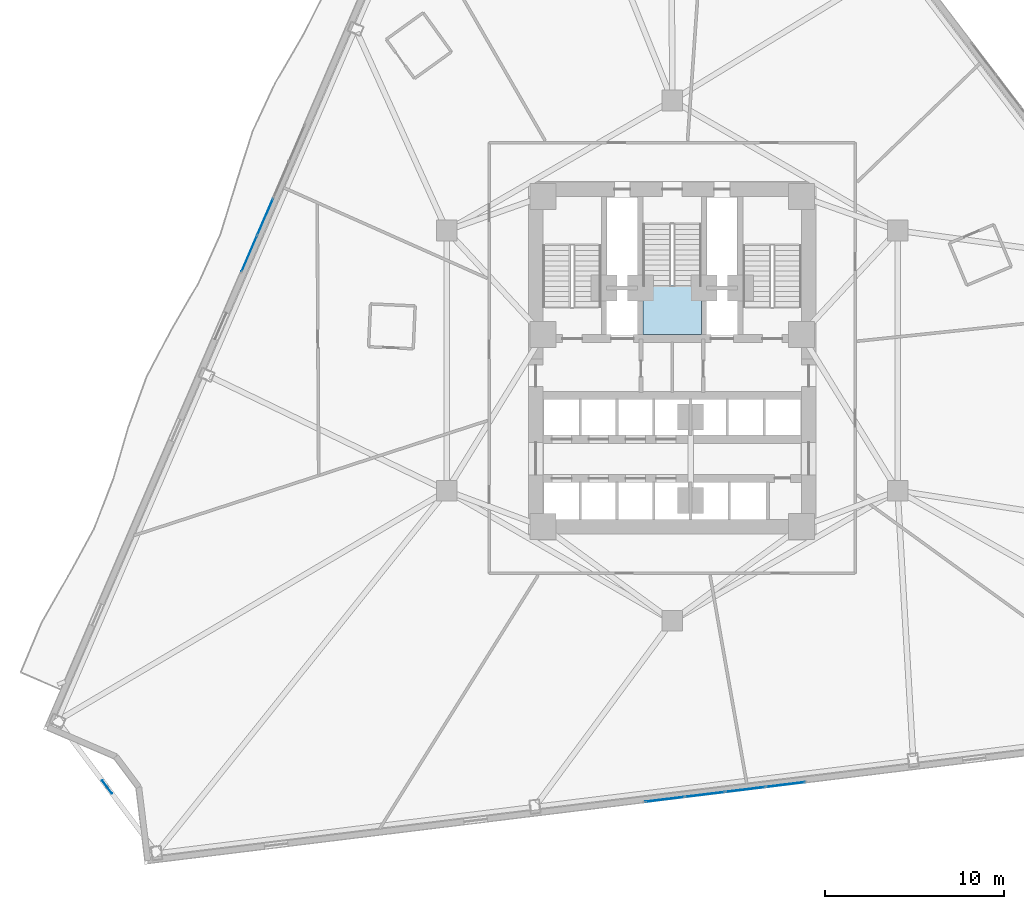
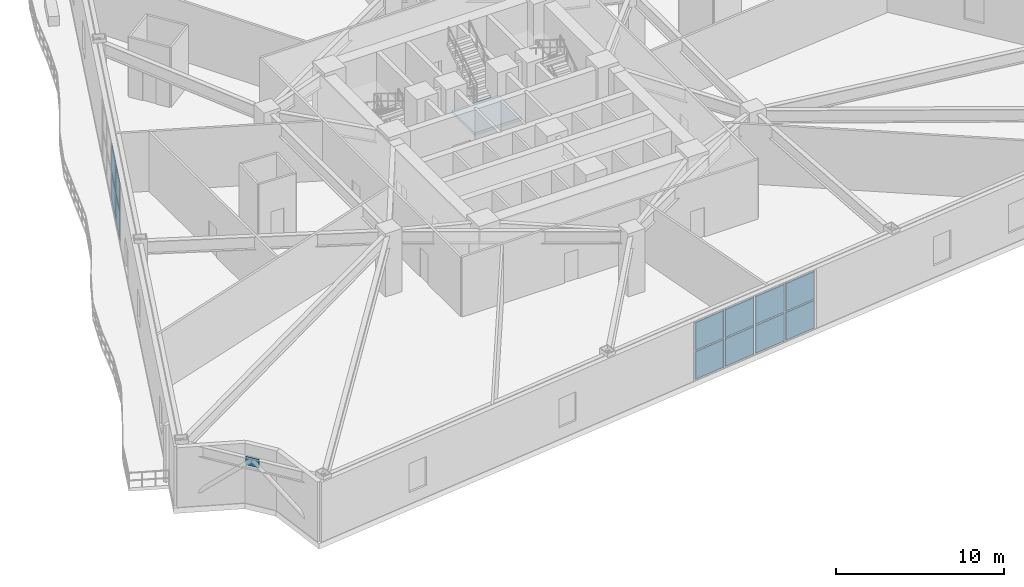
# One storey, part 8 of 21: 13 plates, 1 slab, 3 elements without a shape of their own.
"""IFC4 building model written with IfcOpenShell, lengths in metres."""

from ifc_helpers import new_model, si_unit, direction, frame, origin, origin_2d, place, context, subcontext, project, spatial, polyline, rectangle, outline, extrude, material, layer, layer_set, type_object, element, aggregate, save


model = new_model("IFC4")

# Units and contexts
model_context = context("Model", 3, precision=1e-05, world=origin(), true_north=direction((0.0, 1.0)))
body_context = subcontext(model_context, "Body", "Model", "MODEL_VIEW")
ifc_project = project(units=[si_unit("LENGTHUNIT", "METRE"), si_unit("AREAUNIT", "SQUARE_METRE"), si_unit("VOLUMEUNIT", "CUBIC_METRE"), si_unit("PLANEANGLEUNIT", "RADIAN"), si_unit("MASSUNIT", "GRAM", prefix="KILO")], contexts=[model_context])

# Site, building, storey
site_placement = place(None, origin())
site = spatial("IfcSite", under=ifc_project, at=site_placement, CompositionType="ELEMENT")
building_placement = place(site_placement, origin())
building = spatial("IfcBuilding", under=site, at=building_placement, Name="Apsidion Concourse Tower", CompositionType="ELEMENT")
storey_placement = place(building_placement, frame((0.0, 0.0, 62.39990234375)))
storey = spatial("IfcBuildingStorey", under=building, at=storey_placement, Name="L13", CompositionType="ELEMENT", Elevation=62.39990234375)

# Curtain wall, plates
ifc_material_1 = material(Name="Insulated laminated low-E glass", Category="glass")
ifc_layer_1 = layer(ifc_material_1, 0.2099609375)
ifc_layer_set_1 = layer_set([ifc_layer_1], Name="Insulated laminated low-E glass")
curtain_wall_type = type_object("IfcCurtainWallType", Name="CW-SYS-03", PredefinedType="NOTDEFINED", material=ifc_layer_set_1)
curtain_wall_1_placement = place(storey_placement, origin())
curtain_wall_1 = element("IfcCurtainWall", 1, at=curtain_wall_1_placement, inside=storey, type_object=curtain_wall_type, Name="L13 Sky Lobby Curtain Wall 5", PredefinedType="NOTDEFINED")
ifc_layer_2 = layer(ifc_material_1, 0.031982421875)
ifc_layer_set_2 = layer_set([ifc_layer_2], Name="Insulated laminated low-E glass")
plate_type_1 = type_object("IfcPlateType", Name="CWP-GLZ-32", PredefinedType="CURTAIN_PANEL", material=ifc_layer_set_2)
plate_1_placement = place(storey_placement, frame((6.311767578125, -23.625732421875, 0.06494140625), z_axis=(0.0, 0.0, 1.0), x_axis=(-0.992545865148, -0.121871676684, 0.0)))
plate_1 = element("IfcPlate", 2, at=plate_1_placement, type_object=plate_type_1, Name="CW-03 panel 1.1", PredefinedType="CURTAIN_PANEL", context=body_context, shape_type="SweptSolid", body=[
    extrude(rectangle(XDim=2.170166015625, YDim=0.031982421875, at=origin_2d()), origin(), (0.0, 0.0, 1.0), 2.052490234375),
])
plate_2_placement = place(storey_placement, frame((6.311767578125, -23.625732421875, 2.1826171875), z_axis=(0.0, 0.0, 1.0), x_axis=(-0.992545865148, -0.121871676684, 0.0)))
plate_2 = element("IfcPlate", 3, at=plate_2_placement, type_object=plate_type_1, Name="CW-03 panel 1.2", PredefinedType="CURTAIN_PANEL", context=body_context, shape_type="SweptSolid", body=[
    extrude(rectangle(XDim=2.170166015625, YDim=0.031982421875, at=origin_2d()), origin(), (0.0, 0.0, 1.0), 2.052490234375),
])
plate_3_placement = place(storey_placement, frame((4.076904296875, -23.900146484375, 0.06494140625), z_axis=(0.0, 0.0, 1.0), x_axis=(-0.992545865148, -0.121871676684, 0.0)))
plate_3 = element("IfcPlate", 4, at=plate_3_placement, type_object=plate_type_1, Name="CW-03 panel 2.1", PredefinedType="CURTAIN_PANEL", context=body_context, shape_type="SweptSolid", body=[
    extrude(rectangle(XDim=2.20263671875, YDim=0.031982421875, at=origin_2d()), origin(), (0.0, 0.0, 1.0), 2.052490234375),
])
plate_4_placement = place(storey_placement, frame((4.076904296875, -23.900146484375, 2.1826171875), z_axis=(0.0, 0.0, 1.0), x_axis=(-0.992545865148, -0.121871676684, 0.0)))
plate_4 = element("IfcPlate", 5, at=plate_4_placement, type_object=plate_type_1, Name="CW-03 panel 2.2", PredefinedType="CURTAIN_PANEL", context=body_context, shape_type="SweptSolid", body=[
    extrude(rectangle(XDim=2.20263671875, YDim=0.031982421875, at=origin_2d()), origin(), (0.0, 0.0, 1.0), 2.052490234375),
])
plate_5_placement = place(storey_placement, frame((1.826171875, -24.176513671875, 0.06494140625), z_axis=(0.0, 0.0, 1.0), x_axis=(-0.992545865148, -0.121871676684, 0.0)))
plate_5 = element("IfcPlate", 6, at=plate_5_placement, type_object=plate_type_1, Name="CW-03 panel 3.1", PredefinedType="CURTAIN_PANEL", context=body_context, shape_type="SweptSolid", body=[
    extrude(rectangle(XDim=2.20263671875, YDim=0.031982421875, at=origin_2d()), origin(), (0.0, 0.0, 1.0), 2.052490234375),
])
plate_6_placement = place(storey_placement, frame((1.826171875, -24.176513671875, 2.1826171875), z_axis=(0.0, 0.0, 1.0), x_axis=(-0.992545865148, -0.121871676684, 0.0)))
plate_6 = element("IfcPlate", 7, at=plate_6_placement, type_object=plate_type_1, Name="CW-03 panel 3.2", PredefinedType="CURTAIN_PANEL", context=body_context, shape_type="SweptSolid", body=[
    extrude(rectangle(XDim=2.20263671875, YDim=0.031982421875, at=origin_2d()), origin(), (0.0, 0.0, 1.0), 2.052490234375),
])
plate_7_placement = place(storey_placement, frame((-0.40869140625, -24.450927734375, 0.06494140625), z_axis=(0.0, 0.0, 1.0), x_axis=(-0.992545865148, -0.121871676684, 0.0)))
plate_7 = element("IfcPlate", 8, at=plate_7_placement, type_object=plate_type_1, Name="CW-03 panel 4.1", PredefinedType="CURTAIN_PANEL", context=body_context, shape_type="SweptSolid", body=[
    extrude(rectangle(XDim=2.170166015625, YDim=0.031982421875, at=origin_2d()), origin(), (0.0, 0.0, 1.0), 2.052490234375),
])
plate_8_placement = place(storey_placement, frame((-0.40869140625, -24.450927734375, 2.1826171875), z_axis=(0.0, 0.0, 1.0), x_axis=(-0.992545865148, -0.121871676684, 0.0)))
plate_8 = element("IfcPlate", 9, at=plate_8_placement, type_object=plate_type_1, Name="CW-03 panel 4.2", PredefinedType="CURTAIN_PANEL", context=body_context, shape_type="SweptSolid", body=[
    extrude(rectangle(XDim=2.170166015625, YDim=0.031982421875, at=origin_2d()), origin(), (0.0, 0.0, 1.0), 2.052490234375),
])
aggregate(curtain_wall_1, [plate_1, plate_2, plate_3, plate_4, plate_5, plate_6, plate_7, plate_8])

curtain_wall_2_placement = place(storey_placement, origin())
curtain_wall_2 = element("IfcCurtainWall", 10, at=curtain_wall_2_placement, inside=storey, type_object=curtain_wall_type, Name="L13 Sky Lobby Curtain Wall 9", PredefinedType="NOTDEFINED")
plate_9_placement = place(storey_placement, frame((-23.565185546875, 5.966796875, 0.06494140625), z_axis=(0.0, 0.0, 1.0), x_axis=(0.395419285879, 0.918500728554, 0.0)))
plate_9 = element("IfcPlate", 11, at=plate_9_placement, type_object=plate_type_1, Name="CW-03 panel 1.1", PredefinedType="CURTAIN_PANEL", context=body_context, shape_type="SweptSolid", body=[
    extrude(rectangle(XDim=2.14453125, YDim=0.031982421875, at=origin_2d()), origin(), (0.0, 0.0, 1.0), 2.052490234375),
])
plate_10_placement = place(storey_placement, frame((-23.565185546875, 5.966796875, 2.1826171875), z_axis=(0.0, 0.0, 1.0), x_axis=(0.395419285879, 0.918500728554, 0.0)))
plate_10 = element("IfcPlate", 12, at=plate_10_placement, type_object=plate_type_1, Name="CW-03 panel 1.2", PredefinedType="CURTAIN_PANEL", context=body_context, shape_type="SweptSolid", body=[
    extrude(rectangle(XDim=2.14453125, YDim=0.031982421875, at=origin_2d()), origin(), (0.0, 0.0, 1.0), 2.052490234375),
])
plate_11_placement = place(storey_placement, frame((-22.68505859375, 8.01123046875, 0.06494140625), z_axis=(0.0, 0.0, 1.0), x_axis=(0.395419285879, 0.918500728554, 0.0)))
plate_11 = element("IfcPlate", 13, at=plate_11_placement, type_object=plate_type_1, Name="CW-03 panel 2.1", PredefinedType="CURTAIN_PANEL", context=body_context, shape_type="SweptSolid", body=[
    extrude(rectangle(XDim=2.177001953125, YDim=0.031982421875, at=origin_2d()), origin(), (0.0, 0.0, 1.0), 2.052490234375),
])
plate_12_placement = place(storey_placement, frame((-22.68505859375, 8.01123046875, 2.1826171875), z_axis=(0.0, 0.0, 1.0), x_axis=(0.395419285879, 0.918500728554, 0.0)))
plate_12 = element("IfcPlate", 14, at=plate_12_placement, type_object=plate_type_1, Name="CW-03 panel 2.2", PredefinedType="CURTAIN_PANEL", context=body_context, shape_type="SweptSolid", body=[
    extrude(rectangle(XDim=2.177001953125, YDim=0.031982421875, at=origin_2d()), origin(), (0.0, 0.0, 1.0), 2.052490234375),
])
aggregate(curtain_wall_2, [plate_9, plate_10, plate_11, plate_12])

# Plate
ifc_material_2 = material(Name="Structural steel ASTM A572 Grade 50", Category="steel")
ifc_layer_3 = layer(ifc_material_2, 0.0400390625)
ifc_layer_set_3 = layer_set([ifc_layer_3], Name="Structural steel ASTM A572 Grade 50")
plate_type_2 = type_object("IfcPlateType", Name="PL-GUSSET-40", PredefinedType="SHEET", material=ifc_layer_set_3)
plate_13_placement = place(storey_placement, frame((-31.49169921875, -23.7568359375, 3.77001953125), z_axis=(0.0, 0.0, 1.0), x_axis=(-0.599722140278, 0.800208319415, 0.0)))
element("IfcPlate", 15, at=plate_13_placement, inside=storey, type_object=plate_type_2, Name="L13 Chevron Apex Node Gusset Plate KNA-1", PredefinedType="SHEET", context=body_context, shape_type="SweptSolid", body=[
    extrude(rectangle(XDim=0.89990234375, YDim=0.0400390625, at=origin_2d()), origin(), (0.0, 0.0, 1.0), 0.60009765625),
])

# Stair, slab
ifc_material_3 = material(Name="Precast concrete C40/50", Category="concrete")
stair_type = type_object("IfcStairType", Name="ST-DL-1550", PredefinedType="HALF_TURN_STAIR", material=ifc_material_3)
stair_placement = place(storey_placement, origin())
stair = element("IfcStair", 16, at=stair_placement, inside=storey, type_object=stair_type, Name="L13 Protected Core Exit Stair ST3", PredefinedType="HALF_TURN_STAIR")
ifc_material_4 = material(Name="Concrete C50/60", Category="concrete")
ifc_layer_4 = layer(ifc_material_4, 0.199951171875)
ifc_layer_set_4 = layer_set([ifc_layer_4], Name="Concrete C50/60")
slab_type = type_object("IfcSlabType", Name="SL-ST-LAND-200", PredefinedType="LANDING", material=ifc_layer_set_4)
slab_placement = place(storey_placement, frame((0.0, 0.0, 2.10009765625)))
slab = element("IfcSlab", 17, at=slab_placement, type_object=slab_type, Name="ST3 landing 1", PredefinedType="LANDING", context=body_context, shape_type="SweptSolid", body=[
    extrude(outline(polyline([(-1.625, 4.179931640625), (-1.625, 1.449951171875), (1.625, 1.449951171875), (1.625, 4.179931640625), (-1.625, 4.179931640625)])), origin(), (0.0, 0.0, 1.0), 0.199951171875),
])
aggregate(stair, [slab])

save(model, "model.ifc")
